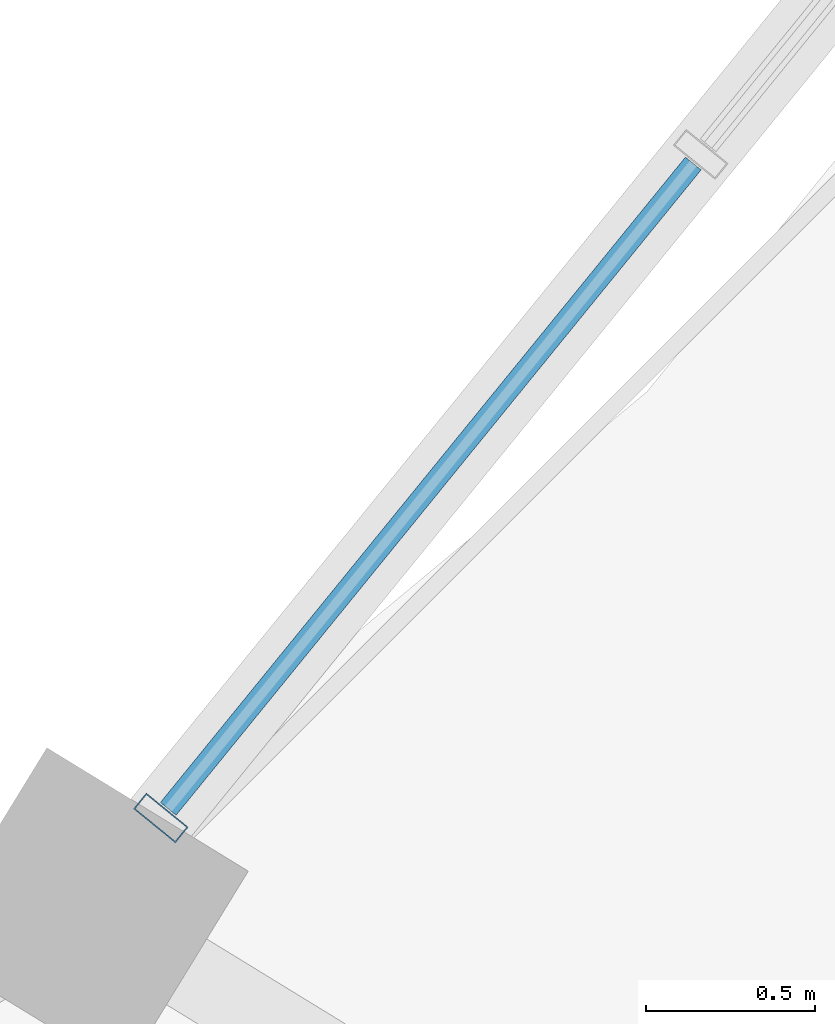
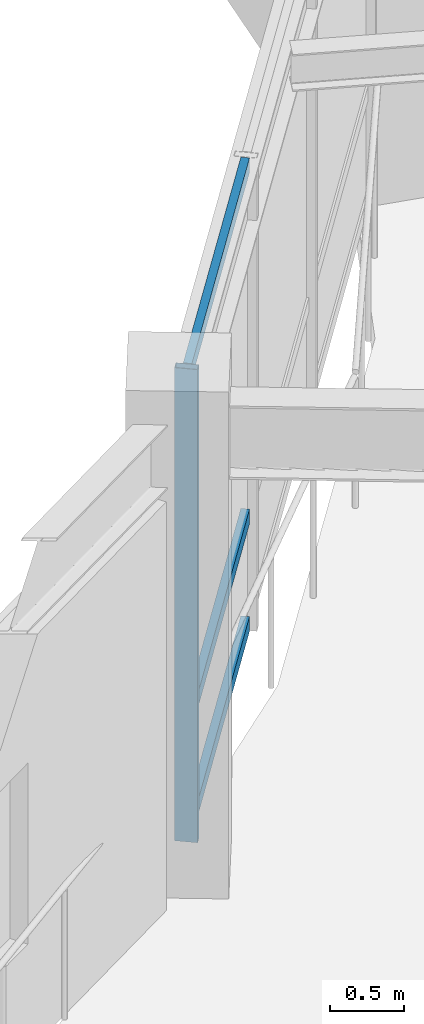
# One storey, part 68 of 152: 4 members, 1 element without a shape of its own.
"""IFC4 building model written with IfcOpenShell, lengths in metres."""

from ifc_helpers import new_model, si_unit, direction, frame, origin, origin_2d, place, context, subcontext, project, spatial, hollow_rectangle, extrude, material, material_profile, profile_set, type_object, element, aggregate, save


model = new_model("IFC4")

# Units and contexts
model_context = context("Model", 3, precision=1e-05, world=origin(), true_north=direction((0.0, 1.0)))
body_context = subcontext(model_context, "Body", "Model", "MODEL_VIEW")
ifc_project = project(units=[si_unit("LENGTHUNIT", "METRE"), si_unit("AREAUNIT", "SQUARE_METRE"), si_unit("VOLUMEUNIT", "CUBIC_METRE"), si_unit("PLANEANGLEUNIT", "RADIAN"), si_unit("MASSUNIT", "GRAM", prefix="KILO"), si_unit("THERMODYNAMICTEMPERATUREUNIT", "KELVIN"), si_unit("POWERUNIT", "WATT")], contexts=[model_context])

# Site, building, storey
site_placement = place(None, origin())
site = spatial("IfcSite", under=ifc_project, at=site_placement, CompositionType="ELEMENT")
building_placement = place(site_placement, origin())
building = spatial("IfcBuilding", under=site, at=building_placement, Name="Darbajah Civic Hall", CompositionType="ELEMENT")
storey_placement = place(building_placement, frame((0.0, 0.0, 5.39990234375)))
storey = spatial("IfcBuildingStorey", under=building, at=storey_placement, Name="L01", CompositionType="ELEMENT", Elevation=5.39990234375)

# Curtain wall, members
ifc_material_1 = material(Name="Anodised Bronze Aluminium and Low-E Glazing", Category="aluminium")
curtain_wall_type = type_object("IfcCurtainWallType", Name="Unitised Curtain Wall CW-35 7600x3900", PredefinedType="USERDEFINED", material=ifc_material_1)
curtain_wall_placement = place(storey_placement, origin())
curtain_wall = element("IfcCurtainWall", 1, at=curtain_wall_placement, inside=storey, type_object=curtain_wall_type, Name="L01 unitised curtain wall CW-V1I-L01-18", ObjectType="UNITISED CURTAIN WALL", PredefinedType="USERDEFINED")
ifc_material_2 = material(Name="Anodised Bronze Aluminium", Category="aluminium")
ifc_material_profile_1 = material_profile(ifc_material_2, hollow_rectangle(XDim=0.06005859375, YDim=0.159912109375, WallThickness=0.00341796875, at=origin_2d()), Name="ALU MULLION 60x160")
ifc_profile_set_1 = profile_set([ifc_material_profile_1], Name="Anodised Bronze Aluminium")
member_type_1 = type_object("IfcMemberType", Name="ALU MULLION 60x160", PredefinedType="MULLION", material=ifc_profile_set_1)
member_1_placement = place(storey_placement, frame((126.667724609375, 78.42138671875, 0.0), z_axis=(0.0, 0.0, 1.0), x_axis=(0.63108205791, 0.775716079622, 0.0)))
member_1 = element("IfcMember", 2, at=member_1_placement, type_object=member_type_1, Name="CW-V1I-L01-18 mullion 1", PredefinedType="MULLION", context=body_context, shape_type="SweptSolid", body=[
    extrude(hollow_rectangle(XDim=0.06005859375, YDim=0.159912109375, WallThickness=0.00341796875, at=origin_2d()), origin(), (0.0, 0.0, 1.0), 3.920166015625),
])
ifc_material_profile_2 = material_profile(ifc_material_2, hollow_rectangle(XDim=0.06005859375, YDim=0.1201171875, WallThickness=0.003173828125, at=origin_2d()), Name="ALU TRANSOM 60x120")
ifc_profile_set_2 = profile_set([ifc_material_profile_2], Name="Anodised Bronze Aluminium")
member_type_2 = type_object("IfcMemberType", Name="ALU TRANSOM 60x120", PredefinedType="USERDEFINED", material=ifc_profile_set_2)
member_2_placement = place(storey_placement, frame((126.689697265625, 78.448486328125, 0.06005859375), z_axis=(0.631110696539, 0.775692779851, 0.0), x_axis=(-0.775692779851, 0.631110696539, 0.0)))
member_2 = element("IfcMember", 3, at=member_2_placement, type_object=member_type_2, Name="CW-V1I-L01-18 transom 1.1", ObjectType="TRANSOM", PredefinedType="USERDEFINED", context=body_context, shape_type="SweptSolid", body=[
    extrude(hollow_rectangle(XDim=0.06005859375, YDim=0.1201171875, WallThickness=0.003173828125, at=origin_2d()), origin(), (0.0, 0.0, 1.0), 2.46533203125),
])
member_3_placement = place(storey_placement, frame((126.689697265625, 78.448486328125, 0.9501953125), z_axis=(0.631110696539, 0.775692779851, 0.0), x_axis=(-0.775692779851, 0.631110696539, 0.0)))
member_3 = element("IfcMember", 4, at=member_3_placement, type_object=member_type_2, Name="CW-V1I-L01-18 transom 1.2", ObjectType="TRANSOM", PredefinedType="USERDEFINED", context=body_context, shape_type="SweptSolid", body=[
    extrude(hollow_rectangle(XDim=0.06005859375, YDim=0.1201171875, WallThickness=0.003173828125, at=origin_2d()), origin(), (0.0, 0.0, 1.0), 2.46533203125),
])
member_4_placement = place(storey_placement, frame((126.689697265625, 78.448486328125, 3.860107421875), z_axis=(0.631110696539, 0.775692779851, 0.0), x_axis=(-0.775692779851, 0.631110696539, 0.0)))
member_4 = element("IfcMember", 5, at=member_4_placement, type_object=member_type_2, Name="CW-V1I-L01-18 transom 1.3", ObjectType="TRANSOM", PredefinedType="USERDEFINED", context=body_context, shape_type="SweptSolid", body=[
    extrude(hollow_rectangle(XDim=0.06005859375, YDim=0.1201171875, WallThickness=0.003173828125, at=origin_2d()), origin(), (0.0, 0.0, 1.0), 2.46533203125),
])
aggregate(curtain_wall, [member_1, member_2, member_3, member_4])

save(model, "model.ifc")
